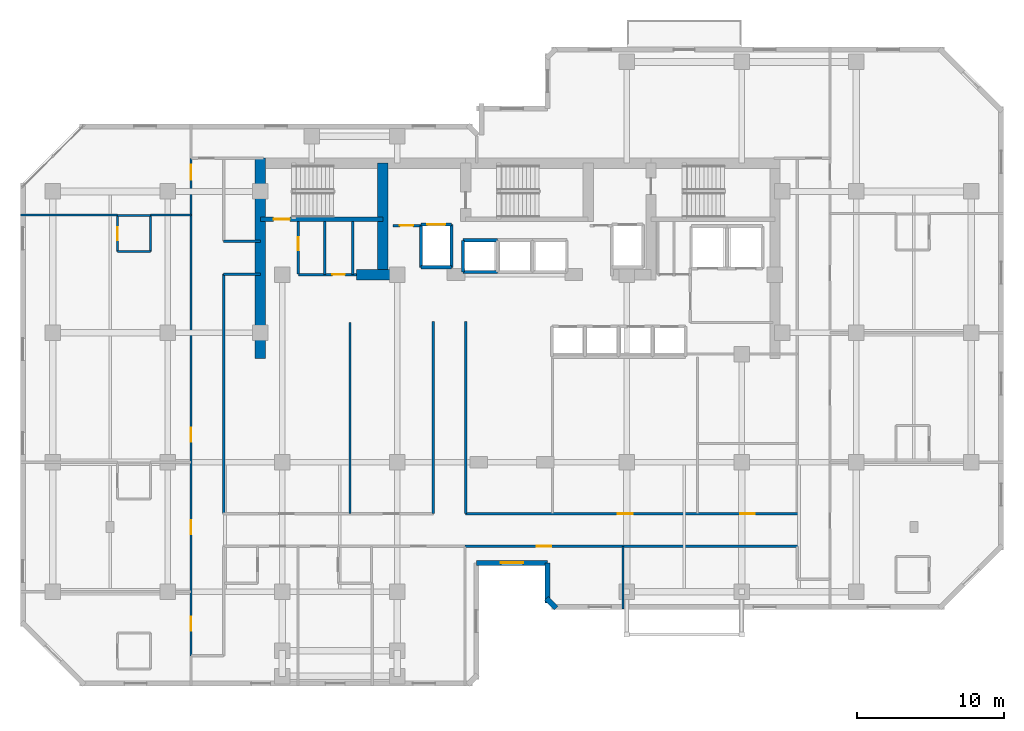
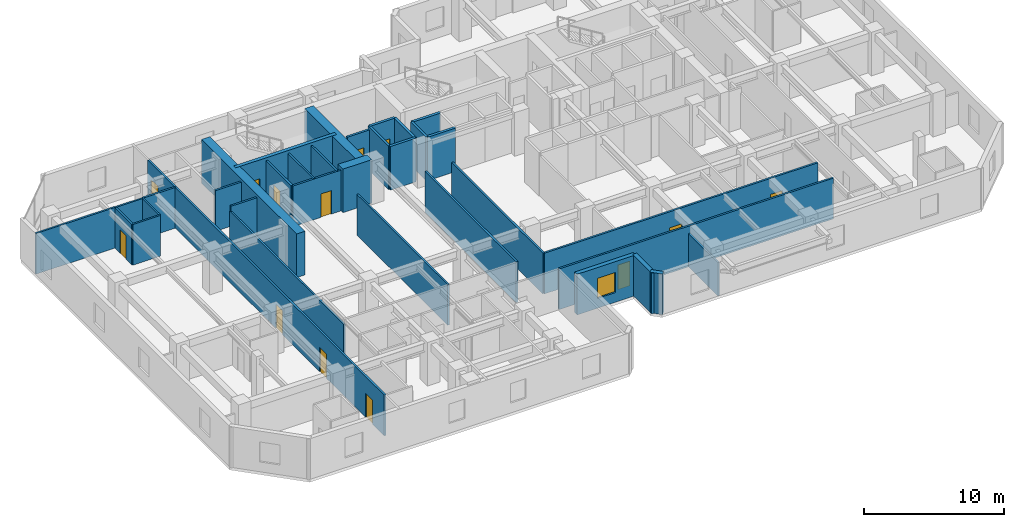
# One storey, part 6 of 10: 35 walls, 13 doors, 1 window, 14 openings.
"""IFC4 building model written with IfcOpenShell, lengths in metres."""

import ifcopenshell
import ifcopenshell.guid

model = None  # the IFC model being written
_history = None  # IfcOwnerHistory: only IFC2X3 demands one
_inside = {}  # id of a spatial element -> (the spatial element, [elements in it])
_under = {}  # id of a project, library or spatial element -> (it, [spatial elements below it])
_declared = {}  # id of a project -> (the project, [libraries it declares])
_typed = {}  # id of a type object -> (the type object, [elements of that type])
_made_of = {}  # id of a material, layer set ... -> (it, [elements and type objects made of it])


def new_model(schema):
    """Start an empty IFC model of exactly this schema.

    Asked for "IFC4X3", IfcOpenShell would pick the latest addendum, in which some entities
    have other attributes; the version numbers below select the first issue.
    IFC2X3 requires an IfcOwnerHistory on every rooted entity: one is made here for all.
    """
    global model, _history
    if schema == "IFC4X3":
        model = ifcopenshell.file(schema_version=(4, 3, 0, 0))
    else:
        model = ifcopenshell.file(schema=schema)
    _inside.clear()
    _under.clear()
    _declared.clear()
    _typed.clear()
    _made_of.clear()
    _history = None
    if model.schema == "IFC2X3":
        org = make("IfcOrganization", Name="unknown")
        user = make(
            "IfcPersonAndOrganization",
            ThePerson=make("IfcPerson", FamilyName="unknown"),
            TheOrganization=org,
        )
        app = make(
            "IfcApplication",
            ApplicationDeveloper=org,
            Version="unknown",
            ApplicationFullName="unknown",
            ApplicationIdentifier="unknown",
        )
        _history = make(
            "IfcOwnerHistory",
            OwningUser=user,
            OwningApplication=app,
            ChangeAction="ADDED",
            CreationDate=0,
        )
    return model


def make(cls, **values):
    """One entity of the class cls with the attributes given. An attribute that is None is left unset."""
    return model.create_entity(
        cls, **{name: value for name, value in values.items() if value is not None}
    )


def rooted(cls, **values):
    """An entity with a GlobalId (a new one), such as an element, a storey or a relation."""
    return make(cls, GlobalId=ifcopenshell.guid.new(), OwnerHistory=_history, **values)


def si_unit(unit_type, name, prefix=None):
    """IfcSIUnit, for example si_unit("LENGTHUNIT", "METRE", prefix="MILLI")."""
    return make("IfcSIUnit", UnitType=unit_type, Prefix=prefix, Name=name)


def assignment(units):
    """IfcUnitAssignment: the units of a project."""
    return None if units is None else make("IfcUnitAssignment", Units=units)


def point(xyz):
    """IfcCartesianPoint."""
    return None if xyz is None else make("IfcCartesianPoint", Coordinates=xyz)


def direction(xyz):
    """IfcDirection."""
    return None if xyz is None else make("IfcDirection", DirectionRatios=xyz)


def frame(location, z_axis=None, x_axis=None):
    """IfcAxis2Placement3D, a coordinate frame: its origin and axes. An axis left out is left unset."""
    return make(
        "IfcAxis2Placement3D",
        Location=point(location),
        Axis=direction(z_axis),
        RefDirection=direction(x_axis),
    )


def frame_2d(location, x_axis=None):
    """IfcAxis2Placement2D, a coordinate frame in the plane: its origin and x axis."""
    return make(
        "IfcAxis2Placement2D", Location=point(location), RefDirection=direction(x_axis)
    )


def origin():
    """The frame at (0, 0, 0) with its axes left unset."""
    return frame((0.0, 0.0, 0.0))


def place(relative_to, where):
    """IfcLocalPlacement: puts the frame where relative to a parent placement (None: the world)."""
    return make(
        "IfcLocalPlacement", PlacementRelTo=relative_to, RelativePlacement=where
    )


def context(
    kind, dimensions, precision=None, world=None, true_north=None, identifier=None
):
    """IfcGeometricRepresentationContext, for example the 3D "Model" context."""
    return make(
        "IfcGeometricRepresentationContext",
        ContextIdentifier=identifier,
        ContextType=kind,
        CoordinateSpaceDimension=dimensions,
        Precision=precision,
        WorldCoordinateSystem=world,
        TrueNorth=true_north,
    )


def subcontext(parent, identifier, kind, view, scale=None):
    """IfcGeometricRepresentationSubContext, for example "Body" below "Model"."""
    return make(
        "IfcGeometricRepresentationSubContext",
        ContextIdentifier=identifier,
        ContextType=kind,
        ParentContext=parent,
        TargetScale=scale,
        TargetView=view,
    )


def project(units=None, contexts=None):
    """IfcProject with its units and contexts."""
    return rooted(
        "IfcProject",
        Name="project",
        RepresentationContexts=contexts,
        UnitsInContext=assignment(units),
    )


def spatial(cls, under=None, at=None, **own):
    """A site, building, storey or space (cls), placed at a placement, below another one or the project."""
    s = rooted(cls, ObjectPlacement=at, **own)
    if under is not None:
        _under.setdefault(under.id(), (under, []))[1].append(s)
    return s


def profile(cls, at=None, kind="AREA", **sizes):
    """A parametric profile (cls). Its sizes go by their IFC names, for example OverallWidth=200.0."""
    return make(cls, ProfileType=kind, Position=at, **sizes)


def rectangle(**sizes):
    """IfcRectangleProfileDef."""
    return profile("IfcRectangleProfileDef", **sizes)


def extrude(swept, where, along, depth):
    """IfcExtrudedAreaSolid: the profile swept, set in the frame where, extruded along a direction by depth."""
    return make(
        "IfcExtrudedAreaSolid",
        SweptArea=swept,
        Position=where,
        ExtrudedDirection=direction(along),
        Depth=depth,
    )


def shape(context_of_items, identifier, shape_type, items):
    """IfcShapeRepresentation: the items that make up one representation, for example the "Body"."""
    return make(
        "IfcShapeRepresentation",
        ContextOfItems=context_of_items,
        RepresentationIdentifier=identifier,
        RepresentationType=shape_type,
        Items=items,
    )


def material(Name=None, Category=None):
    """IfcMaterial."""
    return make("IfcMaterial", Name=Name, Category=Category)


def layer(
    of_material, thickness, ventilated=None, Name=None, Category=None, Priority=None
):
    """IfcMaterialLayer: one layer of a wall or slab, of a material (None: an air gap)."""
    return make(
        "IfcMaterialLayer",
        Material=of_material,
        LayerThickness=thickness,
        IsVentilated=ventilated,
        Name=Name,
        Category=Category,
        Priority=Priority,
    )


def layer_set(layers, Name=None):
    """IfcMaterialLayerSet."""
    return make("IfcMaterialLayerSet", MaterialLayers=layers, LayerSetName=Name)


def made_of(thing, what):
    """Note that an element or type object is made of a material, layer set ...; save() writes the relation."""
    if what is not None:
        _made_of.setdefault(what.id(), (what, []))[1].append(thing)
    return thing


def type_object(cls, material=None, **own):
    """A type object (cls), such as IfcWallType, which elements share."""
    return made_of(rooted(cls, **own), material)


def element(
    cls,
    number,
    at=None,
    inside=None,
    cuts=None,
    type_object=None,
    material=None,
    context=None,
    identifier="Body",
    shape_type=None,
    held_by="IfcProductDefinitionShape",
    body=None,
    shapes=None,
    **own,
):
    """One element of the class cls, such as IfcWall. Its Tag is "e" and its number.

    at: its placement. inside: the storey or other place that contains it. cuts: it is an
    opening in that element (IfcRelVoidsElement). A single representation is given by context,
    identifier, shape_type and body (its items); several are given by shapes. held_by: the class
    of the entity that holds the representations. save() writes the other relations.
    """
    e = rooted(cls, Tag="e%d" % number, ObjectPlacement=at, **own)
    if body is not None:
        shapes = [shape(context, identifier, shape_type, body)]
    if shapes is not None:
        e.Representation = make(held_by, Representations=shapes)
    if inside is not None:
        _inside.setdefault(inside.id(), (inside, []))[1].append(e)
    if cuts is not None:
        rooted(
            "IfcRelVoidsElement", RelatingBuildingElement=cuts, RelatedOpeningElement=e
        )
    if type_object is not None:
        _typed.setdefault(type_object.id(), (type_object, []))[1].append(e)
    return made_of(e, material)


def fill(opening, filler):
    """IfcRelFillsElement: the door or window that sits in an opening."""
    return rooted(
        "IfcRelFillsElement",
        RelatingOpeningElement=opening,
        RelatedBuildingElement=filler,
    )


def aggregate(whole, parts):
    """IfcRelAggregates: a whole, such as a stair, and the parts it consists of."""
    return rooted("IfcRelAggregates", RelatingObject=whole, RelatedObjects=parts)


def save(model, path):
    """Write the relations noted so far, then the file.

    IfcRelAggregates (storeys below a building ...), IfcRelContainedInSpatialStructure (elements
    in a storey), IfcRelDefinesByType, IfcRelAssociatesMaterial and IfcRelDeclares: one each for
    every whole, place, type object, material and project.
    """
    for whole, parts in _under.values():
        aggregate(whole, parts)
    for where, things in _inside.values():
        rooted(
            "IfcRelContainedInSpatialStructure",
            RelatedElements=things,
            RelatingStructure=where,
        )
    for kind, things in _typed.values():
        rooted("IfcRelDefinesByType", RelatedObjects=things, RelatingType=kind)
    for what, things in _made_of.values():
        rooted("IfcRelAssociatesMaterial", RelatedObjects=things, RelatingMaterial=what)
    for by, libraries in _declared.values():
        rooted("IfcRelDeclares", RelatingContext=by, RelatedDefinitions=libraries)
    model.write(path)


model = new_model("IFC4")

# Units and contexts
model_context = context("Model", 3, precision=1e-05, world=origin(), true_north=direction((0.0, 1.0)))
body_context = subcontext(model_context, "Body", "Model", "MODEL_VIEW")
ifc_project = project(units=[si_unit("LENGTHUNIT", "METRE"), si_unit("AREAUNIT", "SQUARE_METRE"), si_unit("VOLUMEUNIT", "CUBIC_METRE"), si_unit("PLANEANGLEUNIT", "RADIAN"), si_unit("MASSUNIT", "GRAM", prefix="KILO")], contexts=[model_context])

# Site, building, storey
site_placement = place(None, origin())
site = spatial("IfcSite", under=ifc_project, at=site_placement, CompositionType="ELEMENT")
building_placement = place(site_placement, origin())
building = spatial("IfcBuilding", under=site, at=building_placement, Name="Kestravale Grand Hotel", CompositionType="ELEMENT")
storey_placement = place(building_placement, frame((0.0, 0.0, 153.60009765625)))
storey = spatial("IfcBuildingStorey", under=building, at=storey_placement, Name="L38", CompositionType="ELEMENT", Elevation=153.60009765625)

# Walls
ifc_material_1 = material(Name="Concrete f'c 60 MPa", Category="concrete")
ifc_layer_1 = layer(ifc_material_1, 0.699951171875)
ifc_layer_set_1 = layer_set([ifc_layer_1], Name="EW-CORE-700")
wall_type_1 = type_object("IfcWallType", Name="EW-CORE-700", PredefinedType="SHEAR", material=ifc_layer_set_1)
wall_1_placement = place(storey_placement, frame((21.89990234375, 27.050048828125, 0.0), z_axis=(0.0, 0.0, 1.0), x_axis=(0.0, 1.0, 0.0)))
element("IfcWall", 1, at=wall_1_placement, inside=storey, type_object=wall_type_1, Name="L38 core shear wall W1", PredefinedType="SHEAR", context=body_context, shape_type="SweptSolid", body=[
    extrude(rectangle(XDim=13.619873046875, YDim=0.699951171875, at=frame_2d((6.81005859375, 0.0))), origin(), (0.0, 0.0, 1.0), 3.7998046875),
])
wall_2_placement = place(storey_placement, frame((28.449951171875, 32.75, 0.0), z_axis=(0.0, 0.0, 1.0), x_axis=(1.0, 0.0, 0.0)))
element("IfcWall", 2, at=wall_2_placement, inside=storey, type_object=wall_type_1, Name="L38 core shear wall S1", PredefinedType="SHEAR", context=body_context, shape_type="SweptSolid", body=[
    extrude(rectangle(XDim=2.400146484375, YDim=0.699951171875, at=frame_2d((1.2001953125, 0.0))), origin(), (0.0, 0.0, 1.0), 3.7998046875),
])
wall_3_placement = place(storey_placement, frame((30.219970703125, 33.10009765625, 0.0), z_axis=(0.0, 0.0, 1.0), x_axis=(0.0, 1.0, 0.0)))
element("IfcWall", 3, at=wall_3_placement, inside=storey, type_object=wall_type_1, Name="L38 core shear wall X1", PredefinedType="SHEAR", context=body_context, shape_type="SweptSolid", body=[
    extrude(rectangle(XDim=7.219970703125, YDim=0.699951171875, at=frame_2d((3.60986328125, 0.0))), origin(), (0.0, 0.0, 1.0), 3.7998046875),
])

# Wall, opening, window
ifc_material_2 = material(Name="Precast concrete f'c 45 MPa", Category="concrete")
ifc_layer_2 = layer(ifc_material_2, 0.340087890625)
ifc_layer_set_2 = layer_set([ifc_layer_2], Name="EW-PREC-340")
wall_type_2 = type_object("IfcWallType", Name="EW-PREC-340", PredefinedType="SOLIDWALL", material=ifc_layer_set_2)
wall_4_placement = place(storey_placement, frame((36.580078125, 13.169921875, 0.0), z_axis=(0.0, 0.0, 1.0), x_axis=(1.0, 0.0, 0.0)))
wall_4 = element("IfcWall", 4, at=wall_4_placement, inside=storey, type_object=wall_type_2, Name="L38 fluted precast facade wall 4", PredefinedType="SOLIDWALL", context=body_context, shape_type="SweptSolid", body=[
    extrude(rectangle(XDim=4.83984375, YDim=0.340087890625, at=frame_2d((2.419921875, 0.0))), origin(), (0.0, 0.0, 1.0), 3.5498046875),
])
opening_1_placement = place(wall_4_placement, frame((1.669921875, 0.0, 0.85009765625)))
opening_1 = element("IfcOpeningElement", 5, at=opening_1_placement, cuts=wall_4, Name="Opening W-GUEST-1500", PredefinedType="OPENING", context=body_context, shape_type="SweptSolid", body=[
    extrude(rectangle(XDim=1.5, YDim=1.75, at=frame_2d((0.75, 0.875))), frame((0.0, 0.179931640625, 0.0), z_axis=(0.0, -1.0, 0.0), x_axis=(1.0, 0.0, 0.0)), (0.0, 0.0, 1.0), 0.360107421875),
])
ifc_material_3 = material(Name="Insulated low-E double glazing in aluminium frame", Category="aluminium")
window_type = type_object("IfcWindowType", Name="W-GUEST-1500", PartitioningType="SINGLE_PANEL", PredefinedType="WINDOW", material=ifc_material_3)
window_placement = place(opening_1_placement, origin())
window = element("IfcWindow", 6, at=window_placement, inside=storey, type_object=window_type, Name="L38 exterior window 4.1", OverallHeight=1.75, OverallWidth=1.5, PartitioningType="SINGLE_PANEL", PredefinedType="WINDOW", context=body_context, shape_type="SweptSolid", body=[
    extrude(rectangle(XDim=1.5, YDim=1.75, at=frame_2d((0.75, 0.875))), frame((0.0, 0.030029296875, 0.0), z_axis=(0.0, -1.0, 0.0), x_axis=(1.0, 0.0, 0.0)), (0.0, 0.0, 1.0), 0.06005859375),
])
fill(opening_1, window)

# Walls
wall_5_placement = place(storey_placement, frame((41.419921875, 13.169921875, 0.0), z_axis=(0.0, 0.0, 1.0), x_axis=(0.0, -1.0, 0.0)))
element("IfcWall", 7, at=wall_5_placement, inside=storey, type_object=wall_type_2, Name="L38 fluted precast facade wall 5", PredefinedType="SOLIDWALL", context=body_context, shape_type="SweptSolid", body=[
    extrude(rectangle(XDim=2.739990234375, YDim=0.340087890625, at=frame_2d((1.3701171875, 0.0))), origin(), (0.0, 0.0, 1.0), 3.5498046875),
])
wall_6_placement = place(storey_placement, frame((41.341796875, 10.74853515625, 0.0), z_axis=(0.0, 0.0, 1.0), x_axis=(0.707106781187, -0.707106781187, 0.0)))
element("IfcWall", 8, at=wall_6_placement, inside=storey, type_object=wall_type_2, Name="L38 fluted precast facade wall 6", PredefinedType="SOLIDWALL", context=body_context, shape_type="SweptSolid", body=[
    extrude(rectangle(XDim=0.9287109375, YDim=0.340087890625, at=frame_2d((0.46435546875, 0.0))), origin(), (0.0, 0.0, 1.0), 3.5498046875),
])

# Wall, opening, door
ifc_material_4 = material(Name="Concrete f'c 45 MPa", Category="concrete")
ifc_layer_3 = layer(ifc_material_4, 0.300048828125)
ifc_layer_set_3 = layer_set([ifc_layer_3], Name="EW-STAIR-300")
wall_type_3 = type_object("IfcWallType", Name="EW-STAIR-300", PredefinedType="SHEAR", material=ifc_layer_set_3)
wall_7_placement = place(storey_placement, frame((21.89990234375, 36.52001953125, 0.0), z_axis=(0.0, 0.0, 1.0), x_axis=(1.0, 0.0, 0.0)))
wall_7 = element("IfcWall", 9, at=wall_7_placement, inside=storey, type_object=wall_type_3, Name="L38 stair enclosure shear wall SST1", PredefinedType="SHEAR", context=body_context, shape_type="SweptSolid", body=[
    extrude(rectangle(XDim=8.320068359375, YDim=0.300048828125, at=frame_2d((4.16015625, 0.0))), origin(), (0.0, 0.0, 1.0), 3.7998046875),
])
opening_2_placement = place(wall_7_placement, frame((0.89990234375, 0.0, 0.0)))
opening_2 = element("IfcOpeningElement", 10, at=opening_2_placement, cuts=wall_7, Name="Opening D-ST-1100", PredefinedType="OPENING", context=body_context, shape_type="SweptSolid", body=[
    extrude(rectangle(XDim=1.10009765625, YDim=2.14990234375, at=frame_2d((0.550048828125, 1.074951171875))), frame((0.0, 0.159912109375, 0.0), z_axis=(0.0, -1.0, 0.0), x_axis=(1.0, 0.0, 0.0)), (0.0, 0.0, 1.0), 0.320068359375),
])
ifc_material_5 = material(Name="Galvanised 90-minute fire-rated steel stair door", Category="steel")
door_type_1 = type_object("IfcDoorType", Name="D-ST-1100", OperationType="NOTDEFINED", PredefinedType="DOOR", material=ifc_material_5)
door_1_placement = place(opening_2_placement, origin())
door_1 = element("IfcDoor", 11, at=door_1_placement, inside=storey, type_object=door_type_1, Name="L38 Stair ST-1 fire door", OperationType="SINGLE_SWING_RIGHT", OverallHeight=2.14990234375, OverallWidth=1.10009765625, PredefinedType="DOOR", context=body_context, shape_type="SweptSolid", body=[
    extrude(rectangle(XDim=1.10009765625, YDim=2.14990234375, at=frame_2d((0.550048828125, 1.074951171875))), frame((0.0, 0.02490234375, 0.0), z_axis=(0.0, -1.0, 0.0), x_axis=(1.0, 0.0, 0.0)), (0.0, 0.0, 1.0), 0.050048828125),
])
fill(opening_2, door_1)

ifc_material_6 = material(Name="Acoustic fire-rated gypsum board partition", Category="other")
ifc_layer_4 = layer(ifc_material_6, 0.159912109375)
ifc_layer_set_4 = layer_set([ifc_layer_4], Name="IW-CORR-160")
wall_type_4 = type_object("IfcWallType", Name="IW-CORR-160", PredefinedType="PARTITIONING", material=ifc_layer_set_4)
wall_8_placement = place(storey_placement, frame((24.47998046875, 32.800048828125, 0.0), z_axis=(0.0, 0.0, 1.0), x_axis=(0.0, 1.0, 0.0)))
wall_8 = element("IfcWall", 12, at=wall_8_placement, inside=storey, type_object=wall_type_4, Name="L38 west core vestibule wall", PredefinedType="PARTITIONING", context=body_context, shape_type="SweptSolid", body=[
    extrude(rectangle(XDim=3.570068359375, YDim=0.159912109375, at=frame_2d((1.78515625, 0.0))), origin(), (0.0, 0.0, 1.0), 3.5498046875),
])
opening_3_placement = place(wall_8_placement, frame((1.603515625, 0.0, 0.0)))
opening_3 = element("IfcOpeningElement", 13, at=opening_3_placement, cuts=wall_8, Name="Opening D-SH-900", PredefinedType="OPENING", context=body_context, shape_type="SweptSolid", body=[
    extrude(rectangle(XDim=0.89990234375, YDim=2.10009765625, at=frame_2d((0.449951171875, 1.050048828125))), frame((0.0, 0.08984375, 0.0), z_axis=(0.0, -1.0, 0.0), x_axis=(1.0, 0.0, 0.0)), (0.0, 0.0, 1.0), 0.179931640625),
])
ifc_material_7 = material(Name="Galvanised 90-minute shaft and service fire door", Category="steel")
door_type_2 = type_object("IfcDoorType", Name="D-SH-900", OperationType="NOTDEFINED", PredefinedType="DOOR", material=ifc_material_7)
door_2_placement = place(opening_3_placement, origin())
door_2 = element("IfcDoor", 14, at=door_2_placement, inside=storey, type_object=door_type_2, Name="D-L38-HK", OperationType="SINGLE_SWING_RIGHT", OverallHeight=2.10009765625, OverallWidth=0.89990234375, PredefinedType="DOOR", context=body_context, shape_type="SweptSolid", body=[
    extrude(rectangle(XDim=0.89990234375, YDim=2.10009765625, at=frame_2d((0.449951171875, 1.050048828125))), frame((0.0, 0.02490234375, 0.0), z_axis=(0.0, -1.0, 0.0), x_axis=(1.0, 0.0, 0.0)), (0.0, 0.0, 1.0), 0.050048828125),
])
fill(opening_3, door_2)

wall_9_placement = place(storey_placement, frame((24.47998046875, 32.75, 0.0), z_axis=(0.0, 0.0, 1.0), x_axis=(1.0, 0.0, 0.0)))
wall_9 = element("IfcWall", 15, at=wall_9_placement, inside=storey, type_object=wall_type_4, Name="W-L38-CWS", PredefinedType="PARTITIONING", context=body_context, shape_type="SweptSolid", body=[
    extrude(rectangle(XDim=3.969970703125, YDim=0.159912109375, at=frame_2d((1.98486328125, 0.0))), origin(), (0.0, 0.0, 1.0), 3.5498046875),
])
opening_4_placement = place(wall_9_placement, frame((2.31005859375, 0.0, 0.0)))
opening_4 = element("IfcOpeningElement", 16, at=opening_4_placement, cuts=wall_9, Name="Opening D-SH-860", PredefinedType="OPENING", context=body_context, shape_type="SweptSolid", body=[
    extrude(rectangle(XDim=0.860107421875, YDim=2.050048828125, at=frame_2d((0.43017578125, 1.02490234375))), frame((0.0, 0.08984375, 0.0), z_axis=(0.0, -1.0, 0.0), x_axis=(1.0, 0.0, 0.0)), (0.0, 0.0, 1.0), 0.179931640625),
])
ifc_material_8 = material(Name="Galvanised 90-minute riser fire door", Category="steel")
door_type_3 = type_object("IfcDoorType", Name="D-SH-860", OperationType="NOTDEFINED", PredefinedType="DOOR", material=ifc_material_8)
door_3_placement = place(opening_4_placement, origin())
door_3 = element("IfcDoor", 17, at=door_3_placement, inside=storey, type_object=door_type_3, Name="D-L38-IDF", OperationType="SINGLE_SWING_RIGHT", OverallHeight=2.050048828125, OverallWidth=0.860107421875, PredefinedType="DOOR", context=body_context, shape_type="SweptSolid", body=[
    extrude(rectangle(XDim=0.860107421875, YDim=2.050048828125, at=frame_2d((0.43017578125, 1.02490234375))), frame((0.0, 0.02490234375, 0.0), z_axis=(0.0, -1.0, 0.0), x_axis=(1.0, 0.0, 0.0)), (0.0, 0.0, 1.0), 0.050048828125),
])
fill(opening_4, door_3)

# Wall, openings, doors
wall_10_placement = place(storey_placement, frame((35.85009765625, 16.510009765625, 0.0), z_axis=(0.0, 0.0, 1.0), x_axis=(1.0, 0.0, 0.0)))
wall_10 = element("IfcWall", 18, at=wall_10_placement, inside=storey, type_object=wall_type_4, Name="W-L38-CE-N", PredefinedType="PARTITIONING", context=body_context, shape_type="SweptSolid", body=[
    extrude(rectangle(XDim=22.599853515625, YDim=0.159912109375, at=frame_2d((11.2998046875, 0.0))), origin(), (0.0, 0.0, 1.0), 3.5498046875),
])
opening_5_placement = place(wall_10_placement, frame((10.35009765625, 0.0, 0.0)))
opening_5 = element("IfcOpeningElement", 19, at=opening_5_placement, cuts=wall_10, Name="Opening D-GUEST-1000", PredefinedType="OPENING", context=body_context, shape_type="SweptSolid", body=[
    extrude(rectangle(XDim=1.0, YDim=2.14990234375, at=frame_2d((0.5, 1.074951171875))), frame((0.0, 0.08984375, 0.0), z_axis=(0.0, -1.0, 0.0), x_axis=(1.0, 0.0, 0.0)), (0.0, 0.0, 1.0), 0.179931640625),
])
opening_6_placement = place(wall_10_placement, frame((18.64990234375, 0.0, 0.0)))
opening_6 = element("IfcOpeningElement", 20, at=opening_6_placement, cuts=wall_10, Name="Opening D-GUEST-1000", PredefinedType="OPENING", context=body_context, shape_type="SweptSolid", body=[
    extrude(rectangle(XDim=1.0, YDim=2.14990234375, at=frame_2d((0.5, 1.074951171875))), frame((0.0, 0.08984375, 0.0), z_axis=(0.0, -1.0, 0.0), x_axis=(1.0, 0.0, 0.0)), (0.0, 0.0, 1.0), 0.179931640625),
])
ifc_material_9 = material(Name="Accessible walnut veneer hotel entrance fire door", Category="wood")
door_type_4 = type_object("IfcDoorType", Name="D-GUEST-1000", OperationType="NOTDEFINED", PredefinedType="DOOR", material=ifc_material_9)
door_4_placement = place(opening_5_placement, origin())
door_4 = element("IfcDoor", 21, at=door_4_placement, inside=storey, type_object=door_type_4, Name="D-L38-RECL-E1", OperationType="SINGLE_SWING_LEFT", OverallHeight=2.14990234375, OverallWidth=1.0, PredefinedType="DOOR", context=body_context, shape_type="SweptSolid", body=[
    extrude(rectangle(XDim=1.0, YDim=2.14990234375, at=frame_2d((0.5, 1.074951171875))), frame((0.0, 0.02490234375, 0.0), z_axis=(0.0, -1.0, 0.0), x_axis=(1.0, 0.0, 0.0)), (0.0, 0.0, 1.0), 0.050048828125),
])
fill(opening_5, door_4)
door_5_placement = place(opening_6_placement, origin())
door_5 = element("IfcDoor", 22, at=door_5_placement, inside=storey, type_object=door_type_4, Name="D-L38-RECL-E2", OperationType="SINGLE_SWING_RIGHT", OverallHeight=2.14990234375, OverallWidth=1.0, PredefinedType="DOOR", context=body_context, shape_type="SweptSolid", body=[
    extrude(rectangle(XDim=1.0, YDim=2.14990234375, at=frame_2d((0.5, 1.074951171875))), frame((0.0, 0.02490234375, 0.0), z_axis=(0.0, -1.0, 0.0), x_axis=(1.0, 0.0, 0.0)), (0.0, 0.0, 1.0), 0.050048828125),
])
fill(opening_6, door_5)

# Walls
for number, where, z_axis, x_axis, name in (
    (23, (33.64990234375, 16.510009765625, 0.0), (0.0, 0.0, 1.0), (0.0, 1.0, 0.0), "W-L38-TRUNK-W"),
    (24, (35.85009765625, 16.510009765625, 0.0), (0.0, 0.0, 1.0), (0.0, 1.0, 0.0), "W-L38-TRUNK-E"),
):
    element("IfcWall", number, at=place(storey_placement, frame(where, z_axis=z_axis, x_axis=x_axis)), inside=storey, type_object=wall_type_4, Name=name, PredefinedType="PARTITIONING", context=body_context, shape_type="SweptSolid", body=[
        extrude(rectangle(XDim=13.0400390625, YDim=0.159912109375, at=frame_2d((6.52001953125, 0.0))), origin(), (0.0, 0.0, 1.0), 3.5498046875),
    ])

# Wall, opening, door
wall_11_placement = place(storey_placement, frame((35.800048828125, 14.2900390625, 0.0), z_axis=(0.0, 0.0, 1.0), x_axis=(1.0, 0.0, 0.0)))
wall_11 = element("IfcWall", 25, at=wall_11_placement, inside=storey, type_object=wall_type_4, Name="W-L38-CE-S", PredefinedType="PARTITIONING", context=body_context, shape_type="SweptSolid", body=[
    extrude(rectangle(XDim=22.64990234375, YDim=0.159912109375, at=frame_2d((11.324951171875, 0.0))), origin(), (0.0, 0.0, 1.0), 3.5498046875),
])
opening_7_placement = place(wall_11_placement, frame((4.87255859375, 0.0, 0.0)))
opening_7 = element("IfcOpeningElement", 26, at=opening_7_placement, cuts=wall_11, Name="Opening D-GUEST-1000", PredefinedType="OPENING", context=body_context, shape_type="SweptSolid", body=[
    extrude(rectangle(XDim=1.0, YDim=2.14990234375, at=frame_2d((0.5, 1.074951171875))), frame((0.0, 0.08984375, 0.0), z_axis=(0.0, -1.0, 0.0), x_axis=(1.0, 0.0, 0.0)), (0.0, 0.0, 1.0), 0.179931640625),
])
door_6_placement = place(opening_7_placement, origin())
door_6 = element("IfcDoor", 27, at=door_6_placement, inside=storey, type_object=door_type_4, Name="D-L38-AME", OperationType="SINGLE_SWING_RIGHT", OverallHeight=2.14990234375, OverallWidth=1.0, PredefinedType="DOOR", context=body_context, shape_type="SweptSolid", body=[
    extrude(rectangle(XDim=1.0, YDim=2.14990234375, at=frame_2d((0.5, 1.074951171875))), frame((0.0, 0.02490234375, 0.0), z_axis=(0.0, -1.0, 0.0), x_axis=(1.0, 0.0, 0.0)), (0.0, 0.0, 1.0), 0.050048828125),
])
fill(opening_7, door_6)

# Wall, openings, doors
wall_12_placement = place(storey_placement, frame((17.18994140625, 6.85009765625, 0.0), z_axis=(0.0, 0.0, 1.0), x_axis=(0.0, 1.0, 0.0)))
wall_12 = element("IfcWall", 28, at=wall_12_placement, inside=storey, type_object=wall_type_4, Name="W-L38-SW-W", PredefinedType="PARTITIONING", context=body_context, shape_type="SweptSolid", body=[
    extrude(rectangle(XDim=33.7998046875, YDim=0.159912109375, at=frame_2d((16.89990234375, 0.0))), origin(), (0.0, 0.0, 1.0), 3.5498046875),
])
opening_8_placement = place(wall_12_placement, frame((1.699951171875, 0.0, 0.0)))
opening_8 = element("IfcOpeningElement", 29, at=opening_8_placement, cuts=wall_12, Name="Opening D-GUEST-950", PredefinedType="OPENING", context=body_context, shape_type="SweptSolid", body=[
    extrude(rectangle(XDim=0.949951171875, YDim=2.10009765625, at=frame_2d((0.47509765625, 1.050048828125))), frame((0.0, 0.08984375, 0.0), z_axis=(0.0, -1.0, 0.0), x_axis=(1.0, 0.0, 0.0)), (0.0, 0.0, 1.0), 0.179931640625),
])
opening_9_placement = place(wall_12_placement, frame((8.27490234375, 0.0, 0.0)))
opening_9 = element("IfcOpeningElement", 30, at=opening_9_placement, cuts=wall_12, Name="Opening D-GUEST-950", PredefinedType="OPENING", context=body_context, shape_type="SweptSolid", body=[
    extrude(rectangle(XDim=0.949951171875, YDim=2.10009765625, at=frame_2d((0.47509765625, 1.050048828125))), frame((0.0, 0.08984375, 0.0), z_axis=(0.0, -1.0, 0.0), x_axis=(1.0, 0.0, 0.0)), (0.0, 0.0, 1.0), 0.179931640625),
])
opening_10_placement = place(wall_12_placement, frame((14.543212890625, 0.0, 0.0)))
opening_10 = element("IfcOpeningElement", 31, at=opening_10_placement, cuts=wall_12, Name="Opening D-GUEST-950", PredefinedType="OPENING", context=body_context, shape_type="SweptSolid", body=[
    extrude(rectangle(XDim=0.949951171875, YDim=2.10009765625, at=frame_2d((0.47509765625, 1.050048828125))), frame((0.0, 0.08984375, 0.0), z_axis=(0.0, -1.0, 0.0), x_axis=(1.0, 0.0, 0.0)), (0.0, 0.0, 1.0), 0.179931640625),
])
opening_11_placement = place(wall_12_placement, frame((32.360107421875, 0.0, 0.0)))
opening_11 = element("IfcOpeningElement", 32, at=opening_11_placement, cuts=wall_12, Name="Opening D-GUEST-1000", PredefinedType="OPENING", context=body_context, shape_type="SweptSolid", body=[
    extrude(rectangle(XDim=1.0, YDim=2.14990234375, at=frame_2d((0.5, 1.074951171875))), frame((0.0, 0.08984375, 0.0), z_axis=(0.0, -1.0, 0.0), x_axis=(1.0, 0.0, 0.0)), (0.0, 0.0, 1.0), 0.179931640625),
])
door_7_placement = place(opening_11_placement, origin())
door_7 = element("IfcDoor", 33, at=door_7_placement, inside=storey, type_object=door_type_4, Name="D-L38-AMWW", OperationType="SINGLE_SWING_LEFT", OverallHeight=2.14990234375, OverallWidth=1.0, PredefinedType="DOOR", context=body_context, shape_type="SweptSolid", body=[
    extrude(rectangle(XDim=1.0, YDim=2.14990234375, at=frame_2d((0.5, 1.074951171875))), frame((0.0, 0.02490234375, 0.0), z_axis=(0.0, -1.0, 0.0), x_axis=(1.0, 0.0, 0.0)), (0.0, 0.0, 1.0), 0.050048828125),
])
fill(opening_11, door_7)
ifc_material_10 = material(Name="Walnut veneer hotel guestroom entrance fire door", Category="wood")
door_type_5 = type_object("IfcDoorType", Name="D-GUEST-950", OperationType="NOTDEFINED", PredefinedType="DOOR", material=ifc_material_10)
door_8_placement = place(opening_8_placement, origin())
door_8 = element("IfcDoor", 34, at=door_8_placement, inside=storey, type_object=door_type_5, Name="D-L38-U03-ENT", OperationType="SINGLE_SWING_RIGHT", OverallHeight=2.10009765625, OverallWidth=0.949951171875, PredefinedType="DOOR", context=body_context, shape_type="SweptSolid", body=[
    extrude(rectangle(XDim=0.949951171875, YDim=2.10009765625, at=frame_2d((0.47509765625, 1.050048828125))), frame((0.0, 0.02490234375, 0.0), z_axis=(0.0, -1.0, 0.0), x_axis=(1.0, 0.0, 0.0)), (0.0, 0.0, 1.0), 0.050048828125),
])
fill(opening_8, door_8)
door_9_placement = place(opening_9_placement, origin())
door_9 = element("IfcDoor", 35, at=door_9_placement, inside=storey, type_object=door_type_5, Name="D-L38-U04-ENT", OperationType="SINGLE_SWING_RIGHT", OverallHeight=2.10009765625, OverallWidth=0.949951171875, PredefinedType="DOOR", context=body_context, shape_type="SweptSolid", body=[
    extrude(rectangle(XDim=0.949951171875, YDim=2.10009765625, at=frame_2d((0.47509765625, 1.050048828125))), frame((0.0, 0.02490234375, 0.0), z_axis=(0.0, -1.0, 0.0), x_axis=(1.0, 0.0, 0.0)), (0.0, 0.0, 1.0), 0.050048828125),
])
fill(opening_9, door_9)
door_10_placement = place(opening_10_placement, origin())
door_10 = element("IfcDoor", 36, at=door_10_placement, inside=storey, type_object=door_type_5, Name="D-L38-U05-ENT", OperationType="SINGLE_SWING_RIGHT", OverallHeight=2.10009765625, OverallWidth=0.949951171875, PredefinedType="DOOR", context=body_context, shape_type="SweptSolid", body=[
    extrude(rectangle(XDim=0.949951171875, YDim=2.10009765625, at=frame_2d((0.47509765625, 1.050048828125))), frame((0.0, 0.02490234375, 0.0), z_axis=(0.0, -1.0, 0.0), x_axis=(1.0, 0.0, 0.0)), (0.0, 0.0, 1.0), 0.050048828125),
])
fill(opening_10, door_10)

# Walls
for number, where, z_axis, x_axis, name in (
    (37, (19.409912109375, 35.02001953125, 0.0), (0.0, 0.0, 1.0), (1.0, 0.0, 0.0), "W-L38-SW-CN"),
    (38, (19.409912109375, 32.780029296875, 0.0), (0.0, 0.0, 1.0), (1.0, 0.0, 0.0), "W-L38-SW-CS"),
):
    element("IfcWall", number, at=place(storey_placement, frame(where, z_axis=z_axis, x_axis=x_axis)), inside=storey, type_object=wall_type_4, Name=name, PredefinedType="PARTITIONING", context=body_context, shape_type="SweptSolid", body=[
        extrude(rectangle(XDim=2.489990234375, YDim=0.159912109375, at=frame_2d((1.2451171875, 0.0))), origin(), (0.0, 0.0, 1.0), 3.5498046875),
    ])

# Wall, opening, door
ifc_material_11 = material(Name="Fire-rated gypsum board on steel studs with mineral wool", Category="steel")
ifc_layer_5 = layer(ifc_material_11, 0.179931640625)
ifc_layer_set_5 = layer_set([ifc_layer_5], Name="IW-FSAE-180")
wall_type_5 = type_object("IfcWallType", Name="IW-FSAE-180", PredefinedType="PARTITIONING", material=ifc_layer_set_5)
wall_13_placement = place(storey_placement, frame((30.89990234375, 36.080078125, 0.0), z_axis=(0.0, 0.0, 1.0), x_axis=(1.0, 0.0, 0.0)))
wall_13 = element("IfcWall", 39, at=wall_13_placement, inside=storey, type_object=wall_type_5, Name="L38 FSAE Lobby 1 smoke barrier", PredefinedType="PARTITIONING", context=body_context, shape_type="SweptSolid", body=[
    extrude(rectangle(XDim=1.85009765625, YDim=0.179931640625, at=frame_2d((0.925048828125, 0.0))), origin(), (0.0, 0.0, 1.0), 3.5498046875),
])
opening_12_placement = place(wall_13_placement, frame((0.47998046875, 0.0, 0.0)))
opening_12 = element("IfcOpeningElement", 40, at=opening_12_placement, cuts=wall_13, Name="Opening D-FSAE-1000", PredefinedType="OPENING", context=body_context, shape_type="SweptSolid", body=[
    extrude(rectangle(XDim=0.89990234375, YDim=2.14990234375, at=frame_2d((0.449951171875, 1.074951171875))), frame((0.0, 0.099853515625, 0.0), z_axis=(0.0, -1.0, 0.0), x_axis=(1.0, 0.0, 0.0)), (0.0, 0.0, 1.0), 0.199951171875),
])
ifc_material_12 = material(Name="Smoke-gasketed FSAE lobby fire door", Category="steel")
door_type_6 = type_object("IfcDoorType", Name="D-FSAE-1000", OperationType="NOTDEFINED", PredefinedType="DOOR", material=ifc_material_12)
door_11_placement = place(opening_12_placement, origin())
door_11 = element("IfcDoor", 41, at=door_11_placement, inside=storey, type_object=door_type_6, Name="L38 FSAE Lobby 1 fire door", OperationType="SINGLE_SWING_RIGHT", OverallHeight=2.14990234375, OverallWidth=0.89990234375, PredefinedType="DOOR", context=body_context, shape_type="SweptSolid", body=[
    extrude(rectangle(XDim=0.89990234375, YDim=2.14990234375, at=frame_2d((0.449951171875, 1.074951171875))), frame((0.0, 0.02490234375, 0.0), z_axis=(0.0, -1.0, 0.0), x_axis=(1.0, 0.0, 0.0)), (0.0, 0.0, 1.0), 0.050048828125),
])
fill(opening_12, door_11)

ifc_material_13 = material(Name="Moisture-resistant tile-backer plumbing chase wall", Category="other")
ifc_layer_6 = layer(ifc_material_13, 0.139892578125)
ifc_layer_set_6 = layer_set([ifc_layer_6], Name="IW-PLB-140")
wall_type_6 = type_object("IfcWallType", Name="IW-PLB-140", PredefinedType="PLUMBINGWALL", material=ifc_layer_set_6)
wall_14_placement = place(storey_placement, frame((12.199951171875, 34.31005859375, 0.0), z_axis=(0.0, 0.0, 1.0), x_axis=(0.0, 1.0, 0.0)))
wall_14 = element("IfcWall", 42, at=wall_14_placement, inside=storey, type_object=wall_type_6, Name="W-L38-U05-BW", PredefinedType="PLUMBINGWALL", context=body_context, shape_type="SweptSolid", body=[
    extrude(rectangle(XDim=2.449951171875, YDim=0.139892578125, at=frame_2d((1.22509765625, 0.0))), origin(), (0.0, 0.0, 1.0), 3.5498046875),
])
opening_13_placement = place(wall_14_placement, frame((0.784912109375, 0.0, 0.0)))
opening_13 = element("IfcOpeningElement", 43, at=opening_13_placement, cuts=wall_14, Name="Opening D-BATH-880", PredefinedType="OPENING", context=body_context, shape_type="SweptSolid", body=[
    extrude(rectangle(XDim=0.8798828125, YDim=2.050048828125, at=frame_2d((0.43994140625, 1.02490234375))), frame((0.0, 0.079833984375, 0.0), z_axis=(0.0, -1.0, 0.0), x_axis=(1.0, 0.0, 0.0)), (0.0, 0.0, 1.0), 0.159912109375),
])
ifc_material_14 = material(Name="Moisture-sealed walnut en-suite bathroom door", Category="wood")
door_type_7 = type_object("IfcDoorType", Name="D-BATH-880", OperationType="NOTDEFINED", PredefinedType="DOOR", material=ifc_material_14)
door_12_placement = place(opening_13_placement, origin())
door_12 = element("IfcDoor", 44, at=door_12_placement, inside=storey, type_object=door_type_7, Name="D-L38-U05-BATH", OperationType="SINGLE_SWING_LEFT", OverallHeight=2.050048828125, OverallWidth=0.8798828125, PredefinedType="DOOR", context=body_context, shape_type="SweptSolid", body=[
    extrude(rectangle(XDim=0.8798828125, YDim=2.050048828125, at=frame_2d((0.43994140625, 1.02490234375))), frame((0.0, 0.02490234375, 0.0), z_axis=(0.0, -1.0, 0.0), x_axis=(1.0, 0.0, 0.0)), (0.0, 0.0, 1.0), 0.050048828125),
])
fill(opening_13, door_12)

# Walls
wall_15_placement = place(storey_placement, frame((14.449951171875, 34.31005859375, 0.0), z_axis=(0.0, 0.0, 1.0), x_axis=(0.0, 1.0, 0.0)))
element("IfcWall", 45, at=wall_15_placement, inside=storey, type_object=wall_type_6, Name="W-L38-U05-BE", PredefinedType="PLUMBINGWALL", context=body_context, shape_type="SweptSolid", body=[
    extrude(rectangle(XDim=2.449951171875, YDim=0.139892578125, at=frame_2d((1.22509765625, 0.0))), origin(), (0.0, 0.0, 1.0), 3.5498046875),
])
for number, where, z_axis, x_axis, name in (
    (46, (12.199951171875, 34.31005859375, 0.0), (0.0, 0.0, 1.0), (1.0, 0.0, 0.0), "W-L38-U05-BS"),
    (47, (12.199951171875, 36.760009765625, 0.0), (0.0, 0.0, 1.0), (1.0, 0.0, 0.0), "W-L38-U05-BN"),
):
    element("IfcWall", number, at=place(storey_placement, frame(where, z_axis=z_axis, x_axis=x_axis)), inside=storey, type_object=wall_type_6, Name=name, PredefinedType="PLUMBINGWALL", context=body_context, shape_type="SweptSolid", body=[
        extrude(rectangle(XDim=2.25, YDim=0.139892578125, at=frame_2d((1.125, 0.0))), origin(), (0.0, 0.0, 1.0), 3.5498046875),
    ])
ifc_material_15 = material(Name="Concrete f'c 45 MPa", Category="concrete")
ifc_layer_7 = layer(ifc_material_15, 0.199951171875)
ifc_layer_set_7 = layer_set([ifc_layer_7], Name="IW-SHAFT-200")
wall_type_7 = type_object("IfcWallType", Name="IW-SHAFT-200", PredefinedType="SHEAR", material=ifc_layer_set_7)
wall_16_placement = place(storey_placement, frame((35.679931640625, 32.919921875, 0.0), z_axis=(0.0, 0.0, 1.0), x_axis=(0.0, 1.0, 0.0)))
element("IfcWall", 48, at=wall_16_placement, inside=storey, type_object=wall_type_7, Name="L38 PL-X1 west shaft wall", PredefinedType="SHEAR", context=body_context, shape_type="SweptSolid", body=[
    extrude(rectangle(XDim=2.16015625, YDim=0.199951171875, at=frame_2d((1.080078125, 0.0))), origin(), (0.0, 0.0, 1.0), 3.7998046875),
])
for number, where, z_axis, x_axis, name in (
    (49, (32.804931640625, 33.2451171875, 0.0), (0.0, 0.0, 1.0), (0.0, 1.0, 0.0), "L38 FL-1 west shaft wall"),
    (50, (34.89501953125, 33.2451171875, 0.0), (0.0, 0.0, 1.0), (0.0, 1.0, 0.0), "L38 FL-1 east shaft wall"),
):
    element("IfcWall", number, at=place(storey_placement, frame(where, z_axis=z_axis, x_axis=x_axis)), inside=storey, type_object=wall_type_7, Name=name, PredefinedType="SHEAR", context=body_context, shape_type="SweptSolid", body=[
        extrude(rectangle(XDim=2.909912109375, YDim=0.199951171875, at=frame_2d((1.455078125, 0.0))), origin(), (0.0, 0.0, 1.0), 3.7998046875),
    ])
ifc_material_16 = material(Name="Concrete f'c 45 MPa", Category="concrete")
ifc_layer_8 = layer(ifc_material_16, 0.219970703125)
ifc_layer_set_8 = layer_set([ifc_layer_8], Name="IW-SHAFT-220")
wall_type_8 = type_object("IfcWallType", Name="IW-SHAFT-220", PredefinedType="SHEAR", material=ifc_layer_set_8)
for number, where, z_axis, x_axis, name in (
    (51, (35.679931640625, 35.080078125, 0.0), (0.0, 0.0, 1.0), (1.0, 0.0, 0.0), "L38 PL-X1 north shaft wall"),
    (52, (35.679931640625, 32.919921875, 0.0), (0.0, 0.0, 1.0), (1.0, 0.0, 0.0), "L38 PL-X1 south shaft wall"),
):
    element("IfcWall", number, at=place(storey_placement, frame(where, z_axis=z_axis, x_axis=x_axis)), inside=storey, type_object=wall_type_8, Name=name, PredefinedType="SHEAR", context=body_context, shape_type="SweptSolid", body=[
        extrude(rectangle(XDim=2.320068359375, YDim=0.219970703125, at=frame_2d((1.16015625, 0.0))), origin(), (0.0, 0.0, 1.0), 3.7998046875),
    ])

# Wall, opening, door
wall_17_placement = place(storey_placement, frame((32.804931640625, 36.155029296875, 0.0), z_axis=(0.0, 0.0, 1.0), x_axis=(1.0, 0.0, 0.0)))
wall_17 = element("IfcWall", 53, at=wall_17_placement, inside=storey, type_object=wall_type_8, Name="L38 FL-1 north shaft wall", PredefinedType="SHEAR", context=body_context, shape_type="SweptSolid", body=[
    extrude(rectangle(XDim=2.090087890625, YDim=0.219970703125, at=frame_2d((1.044921875, 0.0))), origin(), (0.0, 0.0, 1.0), 3.7998046875),
])
opening_14_placement = place(wall_17_placement, frame((0.445068359375, 0.0, 0.0)))
opening_14 = element("IfcOpeningElement", 54, at=opening_14_placement, cuts=wall_17, Name="Opening LD-FSAE-1200", PredefinedType="OPENING", context=body_context, shape_type="SweptSolid", body=[
    extrude(rectangle(XDim=1.199951171875, YDim=2.14990234375, at=frame_2d((0.60009765625, 1.074951171875))), frame((0.0, 0.119873046875, 0.0), z_axis=(0.0, -1.0, 0.0), x_axis=(1.0, 0.0, 0.0)), (0.0, 0.0, 1.0), 0.239990234375),
])
ifc_material_17 = material(Name="Stainless fire-service sliding elevator landing door", Category="steel")
door_type_8 = type_object("IfcDoorType", Name="LD-FSAE-1200", OperationType="NOTDEFINED", PredefinedType="DOOR", material=ifc_material_17)
door_13_placement = place(opening_14_placement, origin())
door_13 = element("IfcDoor", 55, at=door_13_placement, inside=storey, type_object=door_type_8, Name="L38 FL-1 elevator landing sliding door", OperationType="DOUBLE_DOOR_SLIDING", OverallHeight=2.14990234375, OverallWidth=1.199951171875, PredefinedType="DOOR", context=body_context, shape_type="SweptSolid", body=[
    extrude(rectangle(XDim=1.199951171875, YDim=2.14990234375, at=frame_2d((0.60009765625, 1.074951171875))), frame((0.0, 0.02490234375, 0.0), z_axis=(0.0, -1.0, 0.0), x_axis=(1.0, 0.0, 0.0)), (0.0, 0.0, 1.0), 0.050048828125),
])
fill(opening_14, door_13)

# Walls
wall_18_placement = place(storey_placement, frame((32.804931640625, 33.2451171875, 0.0), z_axis=(0.0, 0.0, 1.0), x_axis=(1.0, 0.0, 0.0)))
element("IfcWall", 56, at=wall_18_placement, inside=storey, type_object=wall_type_8, Name="L38 FL-1 south shaft wall", PredefinedType="SHEAR", context=body_context, shape_type="SweptSolid", body=[
    extrude(rectangle(XDim=2.090087890625, YDim=0.219970703125, at=frame_2d((1.044921875, 0.0))), origin(), (0.0, 0.0, 1.0), 3.7998046875),
])
ifc_material_18 = material(Name="Double-stud STC 52 acoustic demising partition", Category="other")
ifc_layer_9 = layer(ifc_material_18, 0.14990234375)
ifc_layer_set_9 = layer_set([ifc_layer_9], Name="IW-UNIT-150")
wall_type_9 = type_object("IfcWallType", Name="IW-UNIT-150", PredefinedType="PARTITIONING", material=ifc_layer_set_9)
for number, where, z_axis, x_axis, name in (
    (57, (26.280029296875, 32.75, 0.0), (0.0, 0.0, 1.0), (0.0, 1.0, 0.0), "W-L38-CC1-1"),
    (58, (28.179931640625, 32.75, 0.0), (0.0, 0.0, 1.0), (0.0, 1.0, 0.0), "W-L38-CC1-2"),
):
    element("IfcWall", number, at=place(storey_placement, frame(where, z_axis=z_axis, x_axis=x_axis)), inside=storey, type_object=wall_type_9, Name=name, PredefinedType="PARTITIONING", context=body_context, shape_type="SweptSolid", body=[
        extrude(rectangle(XDim=3.6201171875, YDim=0.14990234375, at=frame_2d((1.81005859375, 0.0))), origin(), (0.0, 0.0, 1.0), 3.5498046875),
    ])
wall_19_placement = place(storey_placement, frame((19.409912109375, 16.510009765625, 0.0), z_axis=(0.0, 0.0, 1.0), x_axis=(0.0, 1.0, 0.0)))
element("IfcWall", 59, at=wall_19_placement, inside=storey, type_object=wall_type_9, Name="W-L38-RCLW-W", PredefinedType="PARTITIONING", context=body_context, shape_type="SweptSolid", body=[
    extrude(rectangle(XDim=16.2900390625, YDim=0.14990234375, at=frame_2d((8.14501953125, 0.0))), origin(), (0.0, 0.0, 1.0), 3.093017578125),
])
wall_20_placement = place(storey_placement, frame((28.0, 16.510009765625, 0.0), z_axis=(0.0, 0.0, 1.0), x_axis=(0.0, 1.0, 0.0)))
element("IfcWall", 60, at=wall_20_placement, inside=storey, type_object=wall_type_9, Name="W-L38-RCLW-M", PredefinedType="PARTITIONING", context=body_context, shape_type="SweptSolid", body=[
    extrude(rectangle(XDim=12.989990234375, YDim=0.14990234375, at=frame_2d((6.4951171875, 0.0))), origin(), (0.0, 0.0, 1.0), 3.5498046875),
])
wall_21_placement = place(storey_placement, frame((46.544921875, 10.02001953125, 0.0), z_axis=(0.0, 0.0, 1.0), x_axis=(0.0, 1.0, 0.0)))
element("IfcWall", 61, at=wall_21_placement, inside=storey, type_object=wall_type_9, Name="W-L38-ES-1", PredefinedType="PARTITIONING", context=body_context, shape_type="SweptSolid", body=[
    extrude(rectangle(XDim=4.27001953125, YDim=0.14990234375, at=frame_2d((2.135009765625, 0.0))), origin(), (0.0, 0.0, 1.0), 2.89990234375),
])
wall_22_placement = place(storey_placement, frame((5.6201171875, 36.800048828125, 0.0), z_axis=(0.0, 0.0, 1.0), x_axis=(1.0, 0.0, 0.0)))
element("IfcWall", 62, at=wall_22_placement, inside=storey, type_object=wall_type_9, Name="W-L38-WW-3", PredefinedType="PARTITIONING", context=body_context, shape_type="SweptSolid", body=[
    extrude(rectangle(XDim=6.579833984375, YDim=0.14990234375, at=frame_2d((3.2900390625, 0.0))), origin(), (0.0, 0.0, 1.0), 3.5498046875),
])
wall_23_placement = place(storey_placement, frame((14.449951171875, 36.800048828125, 0.0), z_axis=(0.0, 0.0, 1.0), x_axis=(1.0, 0.0, 0.0)))
element("IfcWall", 63, at=wall_23_placement, inside=storey, type_object=wall_type_9, Name="W-L38-WW-3", PredefinedType="PARTITIONING", context=body_context, shape_type="SweptSolid", body=[
    extrude(rectangle(XDim=2.739990234375, YDim=0.14990234375, at=frame_2d((1.3701171875, 0.0))), origin(), (0.0, 0.0, 1.0), 3.5498046875),
])

save(model, "model.ifc")
